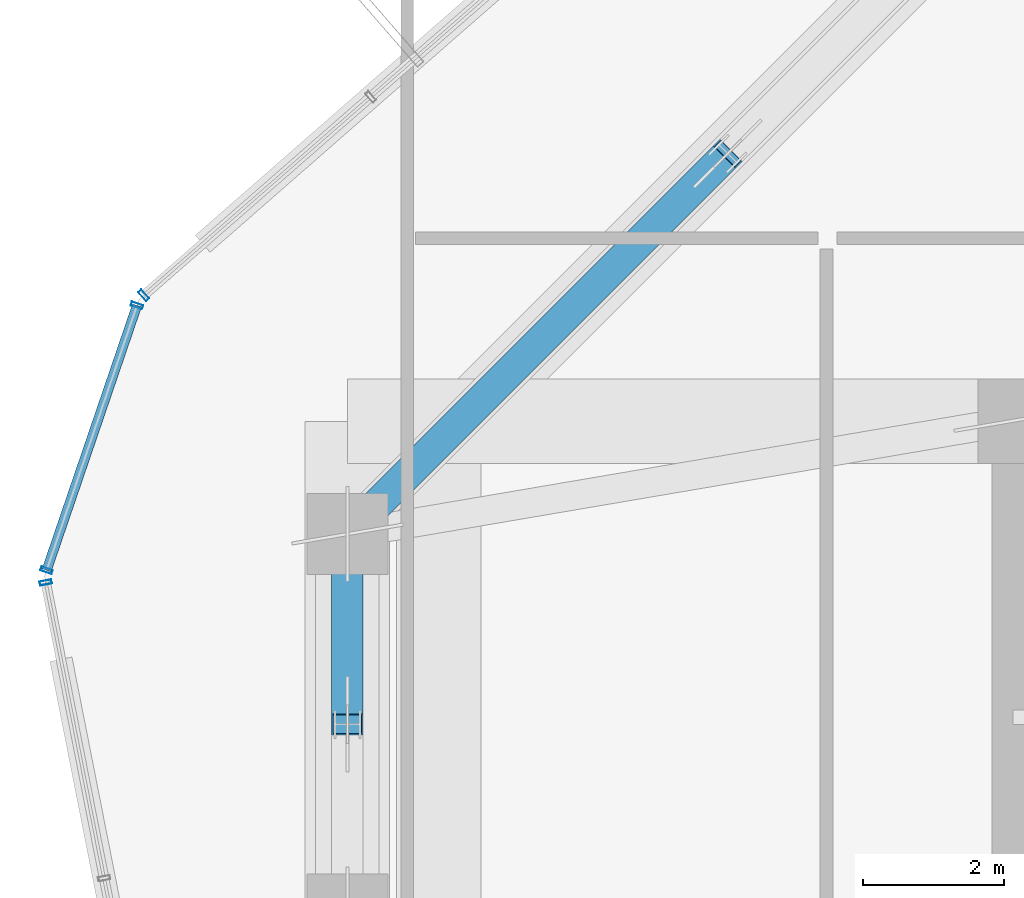
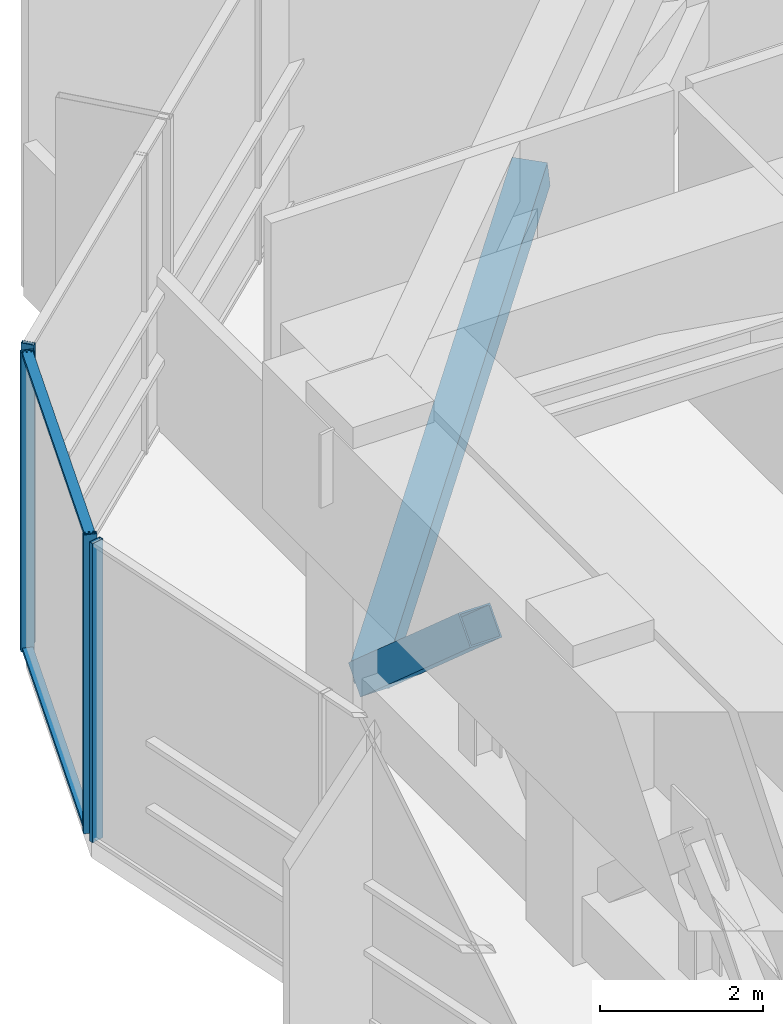
# One storey, part 14 of 36: 8 members, 3 elements without a shape of their own.
"""IFC4 building model written with IfcOpenShell, lengths in metres."""

from ifc_helpers import new_model, si_unit, direction, frame, origin, origin_2d, place, context, subcontext, project, spatial, hollow_rectangle, extrude, source, transform, mapped, material, layer, layer_set, material_profile, profile_set, type_object, element, aggregate, save


model = new_model("IFC4")

# Units and contexts
model_context = context("Model", 3, precision=1e-05, world=origin(), true_north=direction((0.0, 1.0)))
body_context = subcontext(model_context, "Body", "Model", "MODEL_VIEW")
ifc_project = project(units=[si_unit("LENGTHUNIT", "METRE"), si_unit("AREAUNIT", "SQUARE_METRE"), si_unit("VOLUMEUNIT", "CUBIC_METRE"), si_unit("PLANEANGLEUNIT", "RADIAN"), si_unit("MASSUNIT", "GRAM", prefix="KILO")], contexts=[model_context])

# Site, building, storey
site_placement = place(None, origin())
site = spatial("IfcSite", under=ifc_project, at=site_placement, CompositionType="ELEMENT")
building_placement = place(site_placement, origin())
building = spatial("IfcBuilding", under=site, at=building_placement, Name="Veraguas Prism Commons", CompositionType="ELEMENT")
storey_placement = place(building_placement, frame((0.0, 0.0, 169.550048828125)))
storey = spatial("IfcBuildingStorey", under=building, at=storey_placement, Name="L48", CompositionType="ELEMENT", Elevation=169.550048828125)

# Members
ifc_material_1 = material(Name="Steel ASTM A500 Grade C", Category="steel")
ifc_material_profile_1 = material_profile(ifc_material_1, hollow_rectangle(XDim=0.449951171875, YDim=0.449951171875, WallThickness=0.02197265625, at=origin_2d()), Name="HSS450X450X22")
ifc_profile_set_1 = profile_set([ifc_material_profile_1], Name="Steel ASTM A500 Grade C")
member_type_1 = type_object("IfcMemberType", Name="Mid Belt Diagonal HSS 450x450x22", PredefinedType="BRACE", material=ifc_profile_set_1)
member_1_placement = place(storey_placement, frame((7.800048828125, 29.39990234375, 0.550048828125), z_axis=(0.675070232643, 0.675100753948, 0.297521684954), x_axis=(-0.707122765516, 0.707090796496, 0.0)))
element("IfcMember", 1, at=member_1_placement, inside=storey, type_object=member_type_1, Name="Perimeter Belt Truss Brace L48-06B", PredefinedType="BRACE", context=body_context, shape_type="SweptSolid", body=[
    extrude(hollow_rectangle(XDim=0.449951171875, YDim=0.449951171875, WallThickness=0.02197265625, at=origin_2d()), origin(), (0.0, 0.0, 1.0), 7.9990234375),
])
member_2_placement = place(storey_placement, frame((7.800048828125, 29.39990234375, 0.550048828125), z_axis=(0.0, -0.75017230872, 0.661242396727), x_axis=(1.0, 0.0, 0.0)))
element("IfcMember", 2, at=member_2_placement, inside=storey, type_object=member_type_1, Name="Perimeter Belt Truss Brace L48-07A", PredefinedType="BRACE", context=body_context, shape_type="SweptSolid", body=[
    extrude(hollow_rectangle(XDim=0.449951171875, YDim=0.449951171875, WallThickness=0.02197265625, at=origin_2d()), origin(), (0.0, 0.0, 1.0), 3.59912109375),
])

# Curtain wall, member
ifc_material_2 = material(Name="Anodised aluminium EN AW-6063 T6", Category="aluminium")
ifc_layer = layer(ifc_material_2, 0.169921875, Name="Unitised Flush Curtain Wall Zone 2", Category="aluminium")
ifc_layer_set = layer_set([ifc_layer], Name="Anodised aluminium EN AW-6063 T6")
curtain_wall_type = type_object("IfcCurtainWallType", Name="Unitised Flush Curtain Wall Zone 2", PredefinedType="NOTDEFINED", material=ifc_layer_set)
curtain_wall_1_placement = place(storey_placement, origin())
curtain_wall_1 = element("IfcCurtainWall", 3, at=curtain_wall_1_placement, inside=storey, type_object=curtain_wall_type, Name="Tower Facade Curtain Wall L48-F2", PredefinedType="NOTDEFINED")
ifc_material_profile_2 = material_profile(ifc_material_2, hollow_rectangle(XDim=0.06005859375, YDim=0.169921875, WallThickness=0.00390625, at=origin_2d()), Name="AL60X170X4")
ifc_profile_set_2 = profile_set([ifc_material_profile_2], Name="Anodised aluminium EN AW-6063 T6")
member_type_2 = type_object("IfcMemberType", Name="Curtain Wall Mullion Lower AL 60x170x4", PredefinedType="MULLION", material=ifc_profile_set_2)
shared_shape_1 = source(origin(), body_context, "Body", "SweptSolid", [
    extrude(hollow_rectangle(XDim=0.06005859375, YDim=0.169921875, WallThickness=0.00390625, at=origin_2d()), origin(), (0.0, 0.0, 1.0), 4.47998046875),
])
member_3_placement = place(storey_placement, frame((4.90966796875, 32.790283203125, 0.0), z_axis=(0.0, 0.0, 1.0), x_axis=(-0.752872280062, -0.658166642967, 0.0)))
member_3 = element("IfcMember", 4, at=member_3_placement, type_object=member_type_2, Name="CW-Z2 Mullion 5", PredefinedType="MULLION", context=body_context, shape_type="MappedRepresentation", body=[
    mapped(shared_shape_1, transform((0.0, 0.0, 0.0), scale=1.0)),
])
aggregate(curtain_wall_1, [member_3])

curtain_wall_2_placement = place(storey_placement, origin())
curtain_wall_2 = element("IfcCurtainWall", 5, at=curtain_wall_2_placement, inside=storey, type_object=curtain_wall_type, Name="Tower Facade Curtain Wall L48-F3", PredefinedType="NOTDEFINED")
member_4_placement = place(storey_placement, frame((3.518310546875, 28.712158203125, 0.0), z_axis=(0.0, 0.0, 1.0), x_axis=(0.193549468051, -0.981090517443, 0.0)))
member_4 = element("IfcMember", 6, at=member_4_placement, type_object=member_type_2, Name="CW-Z2 Mullion 1", PredefinedType="MULLION", context=body_context, shape_type="MappedRepresentation", body=[
    mapped(shared_shape_1, transform((0.0, 0.0, 0.0), scale=1.0)),
])
aggregate(curtain_wall_2, [member_4])

# Curtain wall, members
curtain_wall_3_placement = place(storey_placement, origin())
curtain_wall_3 = element("IfcCurtainWall", 7, at=curtain_wall_3_placement, inside=storey, type_object=curtain_wall_type, Name="Chamfer Curtain Wall L48-C3", PredefinedType="NOTDEFINED")
member_5_placement = place(storey_placement, frame((4.81298828125, 32.645751953125, 0.0), z_axis=(0.0, 0.0, 1.0), x_axis=(-0.322929806142, -0.946422918311, 0.0)))
member_5 = element("IfcMember", 8, at=member_5_placement, type_object=member_type_2, Name="CW-Z2 Mullion 1", PredefinedType="MULLION", context=body_context, shape_type="MappedRepresentation", body=[
    mapped(shared_shape_1, transform((0.0, 0.0, 0.0), scale=1.0)),
])
member_6_placement = place(storey_placement, frame((3.52978515625, 28.885498046875, 0.0), z_axis=(0.0, 0.0, 1.0), x_axis=(-0.322929806142, -0.946422918311, 0.0)))
member_6 = element("IfcMember", 9, at=member_6_placement, type_object=member_type_2, Name="CW-Z2 Mullion 2", PredefinedType="MULLION", context=body_context, shape_type="MappedRepresentation", body=[
    mapped(shared_shape_1, transform((0.0, 0.0, 0.0), scale=1.0)),
])
ifc_material_profile_3 = material_profile(ifc_material_2, hollow_rectangle(XDim=0.054931640625, YDim=0.135009765625, WallThickness=0.0029296875, at=origin_2d()), Name="AL55X135X3")
ifc_profile_set_3 = profile_set([ifc_material_profile_3], Name="Anodised aluminium EN AW-6063 T6")
member_type_3 = type_object("IfcMemberType", Name="Curtain Wall Transom Standard AL 55x135x3", PredefinedType="USERDEFINED", material=ifc_profile_set_3)
shared_shape_2 = source(origin(), body_context, "Body", "SweptSolid", [
    extrude(hollow_rectangle(XDim=0.054931640625, YDim=0.135009765625, WallThickness=0.0029296875, at=origin_2d()), origin(), (0.0, 0.0, 1.0), 3.97314453125),
])
member_7_placement = place(storey_placement, frame((4.81298828125, 32.645751953125, 0.02734375), z_axis=(-0.322966675309, -0.946410337348, 0.0), x_axis=(0.0, 0.0, 1.0)))
member_7 = element("IfcMember", 10, at=member_7_placement, type_object=member_type_3, Name="CW-Z2 Transom 1", ObjectType="TRANSOM", PredefinedType="USERDEFINED", context=body_context, shape_type="MappedRepresentation", body=[
    mapped(shared_shape_2, transform((0.0, 0.0, 0.0), scale=1.0)),
])
member_8_placement = place(storey_placement, frame((4.81298828125, 32.645751953125, 4.452392578125), z_axis=(-0.322966675309, -0.946410337348, 0.0), x_axis=(0.0, 0.0, 1.0)))
member_8 = element("IfcMember", 11, at=member_8_placement, type_object=member_type_3, Name="CW-Z2 Transom 2", ObjectType="TRANSOM", PredefinedType="USERDEFINED", context=body_context, shape_type="MappedRepresentation", body=[
    mapped(shared_shape_2, transform((0.0, 0.0, 0.0), scale=1.0)),
])
aggregate(curtain_wall_3, [member_5, member_6, member_7, member_8])

save(model, "model.ifc")
